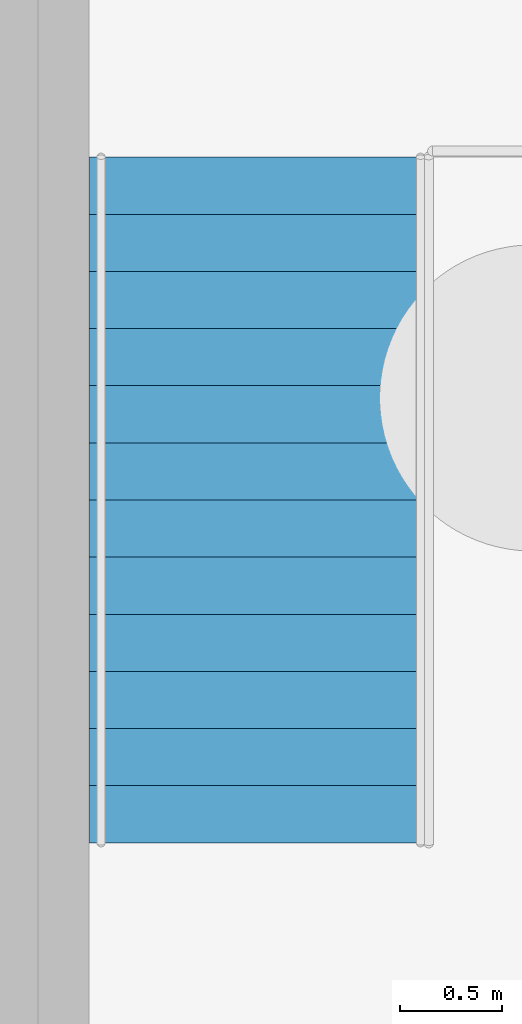
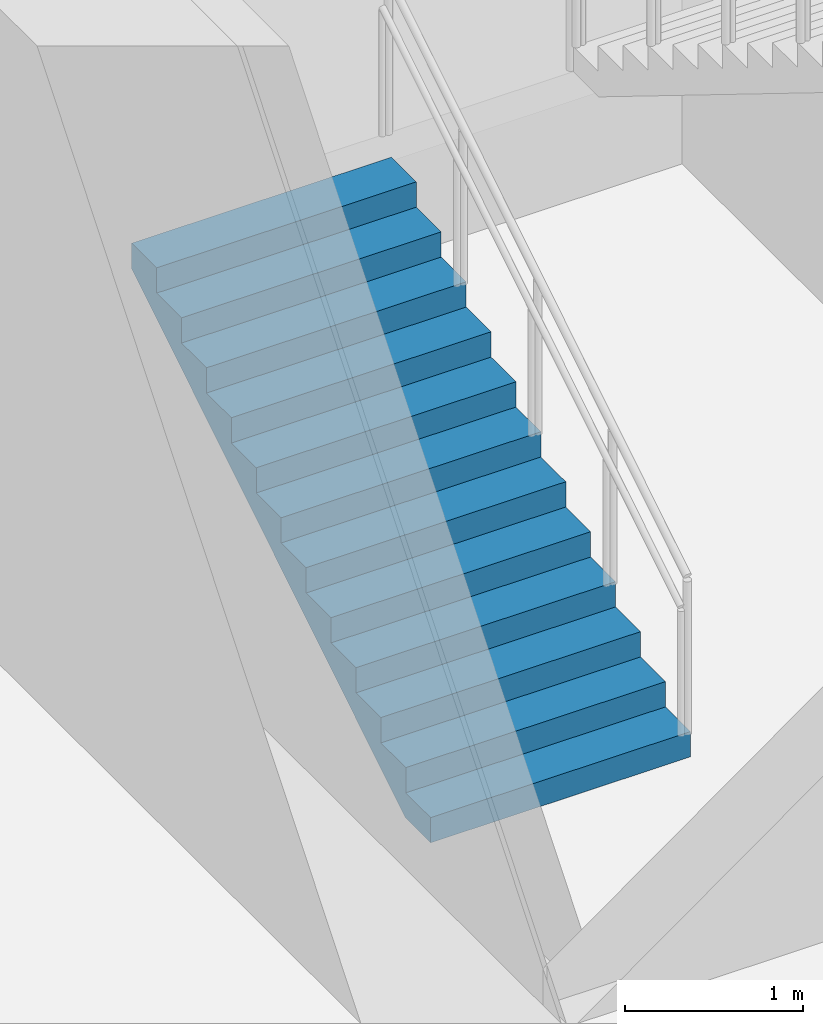
# One storey, part 15 of 28: 1 stair flight, 1 element without a shape of its own.
"""IFC4 building model written with IfcOpenShell, lengths in metres."""

from ifc_helpers import new_model, si_unit, direction, frame, origin, place, context, subcontext, project, spatial, triangles, material, type_object, element, aggregate, save


model = new_model("IFC4")

# Units and contexts
model_context = context("Model", 3, precision=1e-05, world=origin(), true_north=direction((0.0, 1.0)))
body_context = subcontext(model_context, "Body", "Model", "MODEL_VIEW")
ifc_project = project(units=[si_unit("LENGTHUNIT", "METRE"), si_unit("AREAUNIT", "SQUARE_METRE"), si_unit("VOLUMEUNIT", "CUBIC_METRE"), si_unit("PLANEANGLEUNIT", "RADIAN"), si_unit("MASSUNIT", "GRAM", prefix="KILO")], contexts=[model_context])

# Site, building, storey
site_placement = place(None, origin())
site = spatial("IfcSite", under=ifc_project, at=site_placement, CompositionType="ELEMENT")
building_placement = place(site_placement, origin())
building = spatial("IfcBuilding", under=site, at=building_placement, Name="Orbita Commons", CompositionType="ELEMENT")
storey_placement = place(building_placement, frame((0.0, 0.0, -9.0)))
storey = spatial("IfcBuildingStorey", under=building, at=storey_placement, Name="L-02", CompositionType="ELEMENT", Elevation=-9.0)

# Stair, stair flight
ifc_material_1 = material(Name="Precast concrete C40/50", Category="concrete")
stair_type = type_object("IfcStairType", Name="Podium exit stair 2 flights 13 risers 173", PredefinedType="HALF_TURN_STAIR", material=ifc_material_1)
stair_placement = place(storey_placement, origin())
stair = element("IfcStair", 1, at=stair_placement, inside=storey, type_object=stair_type, Name="Podium exit stair PS2 L-02", PredefinedType="HALF_TURN_STAIR")
ifc_material_2 = material(Name="Precast concrete C40/50", Category="concrete")
stair_flight_type = type_object("IfcStairFlightType", Name="Podium stair flight 13 risers 173 x 1685", PredefinedType="STRAIGHT", material=ifc_material_2)
stair_flight_placement = place(storey_placement, frame((73.5673828125, 29.820068359375, 0.0), z_axis=(0.0, 0.0, 1.0), x_axis=(0.0, 1.0, 0.0)))
stair_flight = element("IfcStairFlight", 2, at=stair_flight_placement, type_object=stair_flight_type, Name="PS2 flight 1", NumberOfRisers=13, NumberOfTreads=12, PredefinedType="STRAIGHT", RiserHeight=0.173076923, TreadLength=0.28, context=body_context, shape_type="Tessellation", body=[
    triangles([(0.0, 0.842529, 0.0), (0.0, 0.842529, 0.021635), (0.0, 0.702108, 0.021635), (0.0, 0.702108, 0.0), (0.0, 0.561686, 0.021635), (0.0, 0.561686, 0.0), (0.0, 0.421265, 0.021635), (0.0, 0.421265, 0.0), (0.0, 0.280843, 0.021635), (0.0, 0.280843, 0.0), (0.0, 0.140422, 0.021635), (0.0, 0.140422, 0.0), (0.0, 0.0, 0.021635), (0.0, 0.0, 0.0), (0.0, -0.140422, 0.021635), (0.0, -0.140422, 0.0), (0.0, -0.280843, 0.021635), (0.0, -0.280843, 0.0), (0.0, -0.421265, 0.021635), (0.0, -0.421265, 0.0), (0.0, -0.561686, 0.021635), (0.0, -0.561686, 0.0), (0.0, -0.702108, 0.021635), (0.0, -0.702108, 0.0), (0.0, -0.842529, 0.021635), (0.0, -0.842529, 0.0), (0.0, 0.842529, 0.043269), (0.0, 0.702108, 0.043269), (0.0, 0.561686, 0.043269), (0.0, 0.421265, 0.043269), (0.0, 0.280843, 0.043269), (0.0, 0.140422, 0.043269), (0.0, 0.0, 0.043269), (0.0, -0.140422, 0.043269), (0.0, -0.280843, 0.043269), (0.0, -0.421265, 0.043269), (0.0, -0.561686, 0.043269), (0.0, -0.702108, 0.043269), (0.0, -0.842529, 0.043269), (0.0, 0.842529, 0.064904), (0.0, 0.702108, 0.064904), (0.0, 0.561686, 0.064904), (0.0, 0.421265, 0.064904), (0.0, 0.280843, 0.064904), (0.0, 0.140422, 0.064904), (0.0, 0.0, 0.064904), (0.0, -0.140422, 0.064904), (0.0, -0.280843, 0.064904), (0.0, -0.421265, 0.064904), (0.0, -0.561686, 0.064904), (0.0, -0.702108, 0.064904), (0.0, -0.842529, 0.064904), (0.0, 0.842529, 0.086538), (0.0, 0.702108, 0.086538), (0.0, 0.561686, 0.086538), (0.0, 0.421265, 0.086538), (0.0, 0.280843, 0.086538), (0.0, 0.140422, 0.086538), (0.0, 0.0, 0.086538), (0.0, -0.140422, 0.086538), (0.0, -0.280843, 0.086538), (0.0, -0.421265, 0.086538), (0.0, -0.561686, 0.086538), (0.0, -0.702108, 0.086538), (0.0, -0.842529, 0.086538), (0.0, 0.842529, 0.108173), (0.0, 0.702108, 0.108173), (0.0, 0.561686, 0.108173), (0.0, 0.421265, 0.108173), (0.0, 0.280843, 0.108173), (0.0, 0.140422, 0.108173), (0.0, 0.0, 0.108173), (0.0, -0.140422, 0.108173), (0.0, -0.280843, 0.108173), (0.0, -0.421265, 0.108173), (0.0, -0.561686, 0.108173), (0.0, -0.702108, 0.108173), (0.0, -0.842529, 0.108173), (0.0, 0.842529, 0.129808), (0.0, 0.702108, 0.129808), (0.0, 0.561686, 0.129808), (0.0, 0.421265, 0.129808), (0.0, 0.280843, 0.129808), (0.0, 0.140422, 0.129808), (0.0, 0.0, 0.129808), (0.0, -0.140422, 0.129808), (0.0, -0.280843, 0.129808), (0.0, -0.421265, 0.129808), (0.0, -0.561686, 0.129808), (0.0, -0.702108, 0.129808), (0.0, -0.842529, 0.129808), (0.0, 0.842529, 0.151442), (0.0, 0.702108, 0.151442), (0.0, 0.561686, 0.151442), (0.0, 0.421265, 0.151442), (0.0, 0.280843, 0.151442), (0.0, 0.140422, 0.151442), (0.0, 0.0, 0.151442), (0.0, -0.140422, 0.151442), (0.0, -0.280843, 0.151442), (0.0, -0.421265, 0.151442), (0.0, -0.561686, 0.151442), (0.0, -0.702108, 0.151442), (0.0, -0.842529, 0.151442), (0.0, 0.842529, 0.173077), (0.0, 0.702108, 0.173077), (0.0, 0.561686, 0.173077), (0.0, 0.421265, 0.173077), (0.0, 0.280843, 0.173077), (0.0, 0.140422, 0.173077), (0.0, 0.0, 0.173077), (0.0, -0.140422, 0.173077), (0.0, -0.280843, 0.173077), (0.0, -0.421265, 0.173077), (0.0, -0.561686, 0.173077), (0.0, -0.702108, 0.173077), (0.0, -0.842529, 0.173077), (0.28, 0.842529, 0.173077), (0.28, 0.702108, 0.173077), (0.28, 0.561686, 0.173077), (0.28, 0.421265, 0.173077), (0.28, 0.280843, 0.173077), (0.28, 0.140422, 0.173077), (0.28, 0.0, 0.173077), (0.28, -0.140422, 0.173077), (0.28, -0.280843, 0.173077), (0.28, -0.421265, 0.173077), (0.28, -0.561686, 0.173077), (0.28, -0.702108, 0.173077), (0.28, -0.842529, 0.173077), (0.28, 0.842529, 0.346154), (0.28, 0.702108, 0.346154), (0.28, 0.561686, 0.346154), (0.28, 0.421265, 0.346154), (0.28, 0.280843, 0.346154), (0.28, 0.140422, 0.346154), (0.28, 0.0, 0.346154), (0.28, -0.140422, 0.346154), (0.28, -0.280843, 0.346154), (0.28, -0.421265, 0.346154), (0.28, -0.561686, 0.346154), (0.28, -0.702108, 0.346154), (0.28, -0.842529, 0.346154), (0.56, 0.842529, 0.346154), (0.56, 0.702108, 0.346154), (0.56, 0.561686, 0.346154), (0.56, 0.421265, 0.346154), (0.56, 0.280843, 0.346154), (0.56, 0.140422, 0.346154), (0.56, 0.0, 0.346154), (0.56, -0.140422, 0.346154), (0.56, -0.280843, 0.346154), (0.56, -0.421265, 0.346154), (0.56, -0.561686, 0.346154), (0.56, -0.702108, 0.346154), (0.56, -0.842529, 0.346154), (0.56, 0.842529, 0.519231), (0.56, 0.702108, 0.519231), (0.56, 0.561686, 0.519231), (0.56, 0.421265, 0.519231), (0.56, 0.280843, 0.519231), (0.56, 0.140422, 0.519231), (0.56, 0.0, 0.519231), (0.56, -0.140422, 0.519231), (0.56, -0.280843, 0.519231), (0.56, -0.421265, 0.519231), (0.56, -0.561686, 0.519231), (0.56, -0.702108, 0.519231), (0.56, -0.842529, 0.519231), (0.84, 0.842529, 0.519231), (0.84, 0.702108, 0.519231), (0.84, 0.561686, 0.519231), (0.84, 0.421265, 0.519231), (0.84, 0.280843, 0.519231), (0.84, 0.140422, 0.519231), (0.84, 0.0, 0.519231), (0.84, -0.140422, 0.519231), (0.84, -0.280843, 0.519231), (0.84, -0.421265, 0.519231), (0.84, -0.561686, 0.519231), (0.84, -0.702108, 0.519231), (0.84, -0.842529, 0.519231), (0.84, 0.842529, 0.692308), (0.84, 0.702108, 0.692308), (0.84, 0.561686, 0.692308), (0.84, 0.421265, 0.692308), (0.84, 0.280843, 0.692308), (0.84, 0.140422, 0.692308), (0.84, 0.0, 0.692308), (0.84, -0.140422, 0.692308), (0.84, -0.280843, 0.692308), (0.84, -0.421265, 0.692308), (0.84, -0.561686, 0.692308), (0.84, -0.702108, 0.692308), (0.84, -0.842529, 0.692308), (1.12, 0.842529, 0.692308), (1.12, 0.702108, 0.692308), (1.12, 0.561686, 0.692308), (1.12, 0.421265, 0.692308), (1.12, 0.280843, 0.692308), (1.12, 0.140422, 0.692308), (1.12, 0.0, 0.692308), (1.12, -0.140422, 0.692308), (1.12, -0.280843, 0.692308), (1.12, -0.421265, 0.692308), (1.12, -0.561686, 0.692308), (1.12, -0.702108, 0.692308), (1.12, -0.842529, 0.692308), (1.12, 0.842529, 0.865385), (1.12, 0.702108, 0.865385), (1.12, 0.561686, 0.865385), (1.12, 0.421265, 0.865385), (1.12, 0.280843, 0.865385), (1.12, 0.140422, 0.865385), (1.12, 0.0, 0.865385), (1.12, -0.140422, 0.865385), (1.12, -0.280843, 0.865385), (1.12, -0.421265, 0.865385), (1.12, -0.561686, 0.865385), (1.12, -0.702108, 0.865385), (1.12, -0.842529, 0.865385), (1.4, 0.842529, 0.865385), (1.4, 0.702108, 0.865385), (1.4, 0.561686, 0.865385), (1.4, 0.421265, 0.865385), (1.4, 0.280843, 0.865385), (1.4, 0.140422, 0.865385), (1.4, 0.0, 0.865385), (1.4, -0.140422, 0.865385), (1.4, -0.280843, 0.865385), (1.4, -0.421265, 0.865385), (1.4, -0.561686, 0.865385), (1.4, -0.702108, 0.865385), (1.4, -0.842529, 0.865385), (1.4, 0.842529, 1.038462), (1.4, 0.702108, 1.038462), (1.4, 0.561686, 1.038462), (1.4, 0.421265, 1.038462), (1.4, 0.280843, 1.038462), (1.4, 0.140422, 1.038462), (1.4, 0.0, 1.038462), (1.4, -0.140422, 1.038462), (1.4, -0.280843, 1.038462), (1.4, -0.421265, 1.038462), (1.4, -0.561686, 1.038462), (1.4, -0.702108, 1.038462), (1.4, -0.842529, 1.038462), (1.68, 0.842529, 1.038462), (1.68, 0.702108, 1.038462), (1.68, 0.561686, 1.038462), (1.68, 0.421265, 1.038462), (1.68, 0.280843, 1.038462), (1.68, 0.140422, 1.038462), (1.68, 0.0, 1.038462), (1.68, -0.140422, 1.038462), (1.68, -0.280843, 1.038462), (1.68, -0.421265, 1.038462), (1.68, -0.561686, 1.038462), (1.68, -0.702108, 1.038462), (1.68, -0.842529, 1.038462), (1.68, 0.842529, 1.211538), (1.68, 0.702108, 1.211538), (1.68, 0.561686, 1.211538), (1.68, 0.421265, 1.211538), (1.68, 0.280843, 1.211538), (1.68, 0.140422, 1.211538), (1.68, 0.0, 1.211538), (1.68, -0.140422, 1.211538), (1.68, -0.280843, 1.211538), (1.68, -0.421265, 1.211538), (1.68, -0.561686, 1.211538), (1.68, -0.702108, 1.211538), (1.68, -0.842529, 1.211538), (1.96, 0.842529, 1.211538), (1.96, 0.702108, 1.211538), (1.96, 0.561686, 1.211538), (1.96, 0.421265, 1.211538), (1.96, 0.280843, 1.211538), (1.96, 0.140422, 1.211538), (1.96, 0.0, 1.211538), (1.96, -0.140422, 1.211538), (1.96, -0.280843, 1.211538), (1.96, -0.421265, 1.211538), (1.96, -0.561686, 1.211538), (1.96, -0.702108, 1.211538), (1.96, -0.842529, 1.211538), (1.96, 0.842529, 1.384615), (1.96, 0.702108, 1.384615), (1.96, 0.561686, 1.384615), (1.96, 0.421265, 1.384615), (1.96, 0.280843, 1.384615), (1.96, 0.140422, 1.384615), (1.96, 0.0, 1.384615), (1.96, -0.140422, 1.384615), (1.96, -0.280843, 1.384615), (1.96, -0.421265, 1.384615), (1.96, -0.561686, 1.384615), (1.96, -0.702108, 1.384615), (1.96, -0.842529, 1.384615), (2.24, 0.842529, 1.384615), (2.24, 0.702108, 1.384615), (2.24, 0.561686, 1.384615), (2.24, 0.421265, 1.384615), (2.24, 0.280843, 1.384615), (2.24, 0.140422, 1.384615), (2.24, 0.0, 1.384615), (2.24, -0.140422, 1.384615), (2.24, -0.280843, 1.384615), (2.24, -0.421265, 1.384615), (2.24, -0.561686, 1.384615), (2.24, -0.702108, 1.384615), (2.24, -0.842529, 1.384615), (2.24, 0.842529, 1.557692), (2.24, 0.702108, 1.557692), (2.24, 0.561686, 1.557692), (2.24, 0.421265, 1.557692), (2.24, 0.280843, 1.557692), (2.24, 0.140422, 1.557692), (2.24, 0.0, 1.557692), (2.24, -0.140422, 1.557692), (2.24, -0.280843, 1.557692), (2.24, -0.421265, 1.557692), (2.24, -0.561686, 1.557692), (2.24, -0.702108, 1.557692), (2.24, -0.842529, 1.557692), (2.52, 0.842529, 1.557692), (2.52, 0.702108, 1.557692), (2.52, 0.561686, 1.557692), (2.52, 0.421265, 1.557692), (2.52, 0.280843, 1.557692), (2.52, 0.140422, 1.557692), (2.52, 0.0, 1.557692), (2.52, -0.140422, 1.557692), (2.52, -0.280843, 1.557692), (2.52, -0.421265, 1.557692), (2.52, -0.561686, 1.557692), (2.52, -0.702108, 1.557692), (2.52, -0.842529, 1.557692), (2.52, 0.842529, 1.730769), (2.52, 0.702108, 1.730769), (2.52, 0.561686, 1.730769), (2.52, 0.421265, 1.730769), (2.52, 0.280843, 1.730769), (2.52, 0.140422, 1.730769), (2.52, 0.0, 1.730769), (2.52, -0.140422, 1.730769), (2.52, -0.280843, 1.730769), (2.52, -0.421265, 1.730769), (2.52, -0.561686, 1.730769), (2.52, -0.702108, 1.730769), (2.52, -0.842529, 1.730769), (2.8, 0.842529, 1.730769), (2.8, 0.702108, 1.730769), (2.8, 0.561686, 1.730769), (2.8, 0.421265, 1.730769), (2.8, 0.280843, 1.730769), (2.8, 0.140422, 1.730769), (2.8, 0.0, 1.730769), (2.8, -0.140422, 1.730769), (2.8, -0.280843, 1.730769), (2.8, -0.421265, 1.730769), (2.8, -0.561686, 1.730769), (2.8, -0.702108, 1.730769), (2.8, -0.842529, 1.730769), (2.8, 0.842529, 1.903846), (2.8, 0.702108, 1.903846), (2.8, 0.561686, 1.903846), (2.8, 0.421265, 1.903846), (2.8, 0.280843, 1.903846), (2.8, 0.140422, 1.903846), (2.8, 0.0, 1.903846), (2.8, -0.140422, 1.903846), (2.8, -0.280843, 1.903846), (2.8, -0.421265, 1.903846), (2.8, -0.561686, 1.903846), (2.8, -0.702108, 1.903846), (2.8, -0.842529, 1.903846), (3.08, 0.842529, 1.903846), (3.08, 0.702108, 1.903846), (3.08, 0.561686, 1.903846), (3.08, 0.421265, 1.903846), (3.08, 0.280843, 1.903846), (3.08, 0.140422, 1.903846), (3.08, 0.0, 1.903846), (3.08, -0.140422, 1.903846), (3.08, -0.280843, 1.903846), (3.08, -0.421265, 1.903846), (3.08, -0.561686, 1.903846), (3.08, -0.702108, 1.903846), (3.08, -0.842529, 1.903846), (3.08, 0.842529, 2.076923), (3.08, 0.702108, 2.076923), (3.08, 0.561686, 2.076923), (3.08, 0.421265, 2.076923), (3.08, 0.280843, 2.076923), (3.08, 0.140422, 2.076923), (3.08, 0.0, 2.076923), (3.08, -0.140422, 2.076923), (3.08, -0.280843, 2.076923), (3.08, -0.421265, 2.076923), (3.08, -0.561686, 2.076923), (3.08, -0.702108, 2.076923), (3.08, -0.842529, 2.076923), (3.36, 0.842529, 2.076923), (3.36, 0.702108, 2.076923), (3.36, 0.561686, 2.076923), (3.36, 0.421265, 2.076923), (3.36, 0.280843, 2.076923), (3.36, 0.140422, 2.076923), (3.36, 0.0, 2.076923), (3.36, -0.140422, 2.076923), (3.36, -0.280843, 2.076923), (3.36, -0.421265, 2.076923), (3.36, -0.561686, 2.076923), (3.36, -0.702108, 2.076923), (3.36, -0.842529, 2.076923), (3.36, 0.842529, 2.054895), (3.36, 0.702108, 2.054895), (3.36, 0.561686, 2.054895), (3.36, 0.421265, 2.054895), (3.36, 0.280843, 2.054895), (3.36, 0.140422, 2.054895), (3.36, 0.0, 2.054895), (3.36, -0.140422, 2.054895), (3.36, -0.280843, 2.054895), (3.36, -0.421265, 2.054895), (3.36, -0.561686, 2.054895), (3.36, -0.702108, 2.054895), (3.36, -0.842529, 2.054895), (3.36, 0.842529, 2.032866), (3.36, 0.702108, 2.032866), (3.36, 0.561686, 2.032866), (3.36, 0.421265, 2.032866), (3.36, 0.280843, 2.032866), (3.36, 0.140422, 2.032866), (3.36, 0.0, 2.032866), (3.36, -0.140422, 2.032866), (3.36, -0.280843, 2.032866), (3.36, -0.421265, 2.032866), (3.36, -0.561686, 2.032866), (3.36, -0.702108, 2.032866), (3.36, -0.842529, 2.032866), (3.36, 0.842529, 2.010837), (3.36, 0.702108, 2.010837), (3.36, 0.561686, 2.010837), (3.36, 0.421265, 2.010837), (3.36, 0.280843, 2.010837), (3.36, 0.140422, 2.010837), (3.36, 0.0, 2.010837), (3.36, -0.140422, 2.010837), (3.36, -0.280843, 2.010837), (3.36, -0.421265, 2.010837), (3.36, -0.561686, 2.010837), (3.36, -0.702108, 2.010837), (3.36, -0.842529, 2.010837), (3.36, 0.842529, 1.988809), (3.36, 0.702108, 1.988809), (3.36, 0.561686, 1.988809), (3.36, 0.421265, 1.988809), (3.36, 0.280843, 1.988809), (3.36, 0.140422, 1.988809), (3.36, 0.0, 1.988809), (3.36, -0.140422, 1.988809), (3.36, -0.280843, 1.988809), (3.36, -0.421265, 1.988809), (3.36, -0.561686, 1.988809), (3.36, -0.702108, 1.988809), (3.36, -0.842529, 1.988809), (3.36, 0.842529, 1.96678), (3.36, 0.702108, 1.96678), (3.36, 0.561686, 1.96678), (3.36, 0.421265, 1.96678), (3.36, 0.280843, 1.96678), (3.36, 0.140422, 1.96678), (3.36, 0.0, 1.96678), (3.36, -0.140422, 1.96678), (3.36, -0.280843, 1.96678), (3.36, -0.421265, 1.96678), (3.36, -0.561686, 1.96678), (3.36, -0.702108, 1.96678), (3.36, -0.842529, 1.96678), (3.36, 0.842529, 1.944752), (3.36, 0.702108, 1.944752), (3.36, 0.561686, 1.944752), (3.36, 0.421265, 1.944752), (3.36, 0.280843, 1.944752), (3.36, 0.140422, 1.944752), (3.36, 0.0, 1.944752), (3.36, -0.140422, 1.944752), (3.36, -0.280843, 1.944752), (3.36, -0.421265, 1.944752), (3.36, -0.561686, 1.944752), (3.36, -0.702108, 1.944752), (3.36, -0.842529, 1.944752), (3.36, 0.842529, 1.922723), (3.36, 0.702108, 1.922723), (3.36, 0.561686, 1.922723), (3.36, 0.421265, 1.922723), (3.36, 0.280843, 1.922723), (3.36, 0.140422, 1.922723), (3.36, 0.0, 1.922723), (3.36, -0.140422, 1.922723), (3.36, -0.280843, 1.922723), (3.36, -0.421265, 1.922723), (3.36, -0.561686, 1.922723), (3.36, -0.702108, 1.922723), (3.36, -0.842529, 1.922723), (3.36, 0.842529, 1.900695), (3.36, 0.702108, 1.900695), (3.36, 0.561686, 1.900695), (3.36, 0.421265, 1.900695), (3.36, 0.280843, 1.900695), (3.36, 0.140422, 1.900695), (3.36, 0.0, 1.900695), (3.36, -0.140422, 1.900695), (3.36, -0.280843, 1.900695), (3.36, -0.421265, 1.900695), (3.36, -0.561686, 1.900695), (3.36, -0.702108, 1.900695), (3.36, -0.842529, 1.900695), (0.285099, 0.842529, 0.0), (0.285099, 0.702108, 0.0), (0.285099, 0.561686, 0.0), (0.285099, 0.421265, 0.0), (0.285099, 0.280843, 0.0), (0.285099, 0.140422, 0.0), (0.285099, 0.0, 0.0), (0.285099, -0.140422, 0.0), (0.285099, -0.280843, 0.0), (0.285099, -0.421265, 0.0), (0.285099, -0.561686, 0.0), (0.285099, -0.702108, 0.0), (0.285099, -0.842529, 0.0)], [[3, 2, 1], [4, 3, 1], [5, 3, 4], [6, 5, 4], [7, 5, 6], [8, 7, 6], [9, 7, 8], [10, 9, 8], [11, 9, 10], [12, 11, 10], [13, 11, 12], [14, 13, 12], [15, 13, 14], [16, 15, 14], [17, 15, 16], [18, 17, 16], [19, 17, 18], [20, 19, 18], [21, 19, 20], [22, 21, 20], [23, 21, 22], [24, 23, 22], [25, 23, 24], [26, 25, 24], [28, 27, 2], [3, 28, 2], [29, 28, 3], [5, 29, 3], [30, 29, 5], [7, 30, 5], [31, 30, 7], [9, 31, 7], [32, 31, 9], [11, 32, 9], [33, 32, 11], [13, 33, 11], [34, 33, 13], [15, 34, 13], [35, 34, 15], [17, 35, 15], [36, 35, 17], [19, 36, 17], [37, 36, 19], [21, 37, 19], [38, 37, 21], [23, 38, 21], [39, 38, 23], [25, 39, 23], [41, 40, 27], [28, 41, 27], [42, 41, 28], [29, 42, 28], [43, 42, 29], [30, 43, 29], [44, 43, 30], [31, 44, 30], [45, 44, 31], [32, 45, 31], [46, 45, 32], [33, 46, 32], [47, 46, 33], [34, 47, 33], [48, 47, 34], [35, 48, 34], [49, 48, 35], [36, 49, 35], [50, 49, 36], [37, 50, 36], [51, 50, 37], [38, 51, 37], [52, 51, 38], [39, 52, 38], [54, 53, 40], [41, 54, 40], [55, 54, 41], [42, 55, 41], [56, 55, 42], [43, 56, 42], [57, 56, 43], [44, 57, 43], [58, 57, 44], [45, 58, 44], [59, 58, 45], [46, 59, 45], [60, 59, 46], [47, 60, 46], [61, 60, 47], [48, 61, 47], [62, 61, 48], [49, 62, 48], [63, 62, 49], [50, 63, 49], [64, 63, 50], [51, 64, 50], [65, 64, 51], [52, 65, 51], [67, 66, 53], [54, 67, 53], [68, 67, 54], [55, 68, 54], [69, 68, 55], [56, 69, 55], [70, 69, 56], [57, 70, 56], [71, 70, 57], [58, 71, 57], [72, 71, 58], [59, 72, 58], [73, 72, 59], [60, 73, 59], [74, 73, 60], [61, 74, 60], [75, 74, 61], [62, 75, 61], [76, 75, 62], [63, 76, 62], [77, 76, 63], [64, 77, 63], [78, 77, 64], [65, 78, 64], [80, 79, 66], [67, 80, 66], [81, 80, 67], [68, 81, 67], [82, 81, 68], [69, 82, 68], [83, 82, 69], [70, 83, 69], [84, 83, 70], [71, 84, 70], [85, 84, 71], [72, 85, 71], [86, 85, 72], [73, 86, 72], [87, 86, 73], [74, 87, 73], [88, 87, 74], [75, 88, 74], [89, 88, 75], [76, 89, 75], [90, 89, 76], [77, 90, 76], [91, 90, 77], [78, 91, 77], [93, 92, 79], [80, 93, 79], [94, 93, 80], [81, 94, 80], [95, 94, 81], [82, 95, 81], [96, 95, 82], [83, 96, 82], [97, 96, 83], [84, 97, 83], [98, 97, 84], [85, 98, 84], [99, 98, 85], [86, 99, 85], [100, 99, 86], [87, 100, 86], [101, 100, 87], [88, 101, 87], [102, 101, 88], [89, 102, 88], [103, 102, 89], [90, 103, 89], [104, 103, 90], [91, 104, 90], [106, 105, 92], [93, 106, 92], [107, 106, 93], [94, 107, 93], [108, 107, 94], [95, 108, 94], [109, 108, 95], [96, 109, 95], [110, 109, 96], [97, 110, 96], [111, 110, 97], [98, 111, 97], [112, 111, 98], [99, 112, 98], [113, 112, 99], [100, 113, 99], [114, 113, 100], [101, 114, 100], [115, 114, 101], [102, 115, 101], [116, 115, 102], [103, 116, 102], [117, 116, 103], [104, 117, 103], [119, 118, 105], [106, 119, 105], [120, 119, 106], [107, 120, 106], [121, 120, 107], [108, 121, 107], [122, 121, 108], [109, 122, 108], [123, 122, 109], [110, 123, 109], [124, 123, 110], [111, 124, 110], [125, 124, 111], [112, 125, 111], [126, 125, 112], [113, 126, 112], [127, 126, 113], [114, 127, 113], [128, 127, 114], [115, 128, 114], [129, 128, 115], [116, 129, 115], [130, 129, 116], [117, 130, 116], [132, 131, 118], [119, 132, 118], [133, 132, 119], [120, 133, 119], [134, 133, 120], [121, 134, 120], [135, 134, 121], [122, 135, 121], [136, 135, 122], [123, 136, 122], [137, 136, 123], [124, 137, 123], [138, 137, 124], [125, 138, 124], [139, 138, 125], [126, 139, 125], [140, 139, 126], [127, 140, 126], [141, 140, 127], [128, 141, 127], [142, 141, 128], [129, 142, 128], [143, 142, 129], [130, 143, 129], [145, 144, 131], [132, 145, 131], [146, 145, 132], [133, 146, 132], [147, 146, 133], [134, 147, 133], [148, 147, 134], [135, 148, 134], [149, 148, 135], [136, 149, 135], [150, 149, 136], [137, 150, 136], [151, 150, 137], [138, 151, 137], [152, 151, 138], [139, 152, 138], [153, 152, 139], [140, 153, 139], [154, 153, 140], [141, 154, 140], [155, 154, 141], [142, 155, 141], [156, 155, 142], [143, 156, 142], [158, 157, 144], [145, 158, 144], [159, 158, 145], [146, 159, 145], [160, 159, 146], [147, 160, 146], [161, 160, 147], [148, 161, 147], [162, 161, 148], [149, 162, 148], [163, 162, 149], [150, 163, 149], [164, 163, 150], [151, 164, 150], [165, 164, 151], [152, 165, 151], [166, 165, 152], [153, 166, 152], [167, 166, 153], [154, 167, 153], [168, 167, 154], [155, 168, 154], [169, 168, 155], [156, 169, 155], [171, 170, 157], [158, 171, 157], [172, 171, 158], [159, 172, 158], [173, 172, 159], [160, 173, 159], [174, 173, 160], [161, 174, 160], [175, 174, 161], [162, 175, 161], [176, 175, 162], [163, 176, 162], [177, 176, 163], [164, 177, 163], [178, 177, 164], [165, 178, 164], [179, 178, 165], [166, 179, 165], [180, 179, 166], [167, 180, 166], [181, 180, 167], [168, 181, 167], [182, 181, 168], [169, 182, 168], [184, 183, 170], [171, 184, 170], [185, 184, 171], [172, 185, 171], [186, 185, 172], [173, 186, 172], [187, 186, 173], [174, 187, 173], [188, 187, 174], [175, 188, 174], [189, 188, 175], [176, 189, 175], [190, 189, 176], [177, 190, 176], [191, 190, 177], [178, 191, 177], [192, 191, 178], [179, 192, 178], [193, 192, 179], [180, 193, 179], [194, 193, 180], [181, 194, 180], [195, 194, 181], [182, 195, 181], [197, 196, 183], [184, 197, 183], [198, 197, 184], [185, 198, 184], [199, 198, 185], [186, 199, 185], [200, 199, 186], [187, 200, 186], [201, 200, 187], [188, 201, 187], [202, 201, 188], [189, 202, 188], [203, 202, 189], [190, 203, 189], [204, 203, 190], [191, 204, 190], [205, 204, 191], [192, 205, 191], [206, 205, 192], [193, 206, 192], [207, 206, 193], [194, 207, 193], [208, 207, 194], [195, 208, 194], [210, 209, 196], [197, 210, 196], [211, 210, 197], [198, 211, 197], [212, 211, 198], [199, 212, 198], [213, 212, 199], [200, 213, 199], [214, 213, 200], [201, 214, 200], [215, 214, 201], [202, 215, 201], [216, 215, 202], [203, 216, 202], [217, 216, 203], [204, 217, 203], [218, 217, 204], [205, 218, 204], [219, 218, 205], [206, 219, 205], [220, 219, 206], [207, 220, 206], [221, 220, 207], [208, 221, 207], [223, 222, 209], [210, 223, 209], [224, 223, 210], [211, 224, 210], [225, 224, 211], [212, 225, 211], [226, 225, 212], [213, 226, 212], [227, 226, 213], [214, 227, 213], [228, 227, 214], [215, 228, 214], [229, 228, 215], [216, 229, 215], [230, 229, 216], [217, 230, 216], [231, 230, 217], [218, 231, 217], [232, 231, 218], [219, 232, 218], [233, 232, 219], [220, 233, 219], [234, 233, 220], [221, 234, 220], [236, 235, 222], [223, 236, 222], [237, 236, 223], [224, 237, 223], [238, 237, 224], [225, 238, 224], [239, 238, 225], [226, 239, 225], [240, 239, 226], [227, 240, 226], [241, 240, 227], [228, 241, 227], [242, 241, 228], [229, 242, 228], [243, 242, 229], [230, 243, 229], [244, 243, 230], [231, 244, 230], [245, 244, 231], [232, 245, 231], [246, 245, 232], [233, 246, 232], [247, 246, 233], [234, 247, 233], [249, 248, 235], [236, 249, 235], [250, 249, 236], [237, 250, 236], [251, 250, 237], [238, 251, 237], [252, 251, 238], [239, 252, 238], [253, 252, 239], [240, 253, 239], [254, 253, 240], [241, 254, 240], [255, 254, 241], [242, 255, 241], [256, 255, 242], [243, 256, 242], [257, 256, 243], [244, 257, 243], [258, 257, 244], [245, 258, 244], [259, 258, 245], [246, 259, 245], [260, 259, 246], [247, 260, 246], [262, 261, 248], [249, 262, 248], [263, 262, 249], [250, 263, 249], [264, 263, 250], [251, 264, 250], [265, 264, 251], [252, 265, 251], [266, 265, 252], [253, 266, 252], [267, 266, 253], [254, 267, 253], [268, 267, 254], [255, 268, 254], [269, 268, 255], [256, 269, 255], [270, 269, 256], [257, 270, 256], [271, 270, 257], [258, 271, 257], [272, 271, 258], [259, 272, 258], [273, 272, 259], [260, 273, 259], [275, 274, 261], [262, 275, 261], [276, 275, 262], [263, 276, 262], [277, 276, 263], [264, 277, 263], [278, 277, 264], [265, 278, 264], [279, 278, 265], [266, 279, 265], [280, 279, 266], [267, 280, 266], [281, 280, 267], [268, 281, 267], [282, 281, 268], [269, 282, 268], [283, 282, 269], [270, 283, 269], [284, 283, 270], [271, 284, 270], [285, 284, 271], [272, 285, 271], [286, 285, 272], [273, 286, 272], [288, 287, 274], [275, 288, 274], [289, 288, 275], [276, 289, 275], [290, 289, 276], [277, 290, 276], [291, 290, 277], [278, 291, 277], [292, 291, 278], [279, 292, 278], [293, 292, 279], [280, 293, 279], [294, 293, 280], [281, 294, 280], [295, 294, 281], [282, 295, 281], [296, 295, 282], [283, 296, 282], [297, 296, 283], [284, 297, 283], [298, 297, 284], [285, 298, 284], [299, 298, 285], [286, 299, 285], [301, 300, 287], [288, 301, 287], [302, 301, 288], [289, 302, 288], [303, 302, 289], [290, 303, 289], [304, 303, 290], [291, 304, 290], [305, 304, 291], [292, 305, 291], [306, 305, 292], [293, 306, 292], [307, 306, 293], [294, 307, 293], [308, 307, 294], [295, 308, 294], [309, 308, 295], [296, 309, 295], [310, 309, 296], [297, 310, 296], [311, 310, 297], [298, 311, 297], [312, 311, 298], [299, 312, 298], [314, 313, 300], [301, 314, 300], [315, 314, 301], [302, 315, 301], [316, 315, 302], [303, 316, 302], [317, 316, 303], [304, 317, 303], [318, 317, 304], [305, 318, 304], [319, 318, 305], [306, 319, 305], [320, 319, 306], [307, 320, 306], [321, 320, 307], [308, 321, 307], [322, 321, 308], [309, 322, 308], [323, 322, 309], [310, 323, 309], [324, 323, 310], [311, 324, 310], [325, 324, 311], [312, 325, 311], [327, 326, 313], [314, 327, 313], [328, 327, 314], [315, 328, 314], [329, 328, 315], [316, 329, 315], [330, 329, 316], [317, 330, 316], [331, 330, 317], [318, 331, 317], [332, 331, 318], [319, 332, 318], [333, 332, 319], [320, 333, 319], [334, 333, 320], [321, 334, 320], [335, 334, 321], [322, 335, 321], [336, 335, 322], [323, 336, 322], [337, 336, 323], [324, 337, 323], [338, 337, 324], [325, 338, 324], [340, 339, 326], [327, 340, 326], [341, 340, 327], [328, 341, 327], [342, 341, 328], [329, 342, 328], [343, 342, 329], [330, 343, 329], [344, 343, 330], [331, 344, 330], [345, 344, 331], [332, 345, 331], [346, 345, 332], [333, 346, 332], [347, 346, 333], [334, 347, 333], [348, 347, 334], [335, 348, 334], [349, 348, 335], [336, 349, 335], [350, 349, 336], [337, 350, 336], [351, 350, 337], [338, 351, 337], [353, 352, 339], [340, 353, 339], [354, 353, 340], [341, 354, 340], [355, 354, 341], [342, 355, 341], [356, 355, 342], [343, 356, 342], [357, 356, 343], [344, 357, 343], [358, 357, 344], [345, 358, 344], [359, 358, 345], [346, 359, 345], [360, 359, 346], [347, 360, 346], [361, 360, 347], [348, 361, 347], [362, 361, 348], [349, 362, 348], [363, 362, 349], [350, 363, 349], [364, 363, 350], [351, 364, 350], [366, 365, 352], [353, 366, 352], [367, 366, 353], [354, 367, 353], [368, 367, 354], [355, 368, 354], [369, 368, 355], [356, 369, 355], [370, 369, 356], [357, 370, 356], [371, 370, 357], [358, 371, 357], [372, 371, 358], [359, 372, 358], [373, 372, 359], [360, 373, 359], [374, 373, 360], [361, 374, 360], [375, 374, 361], [362, 375, 361], [376, 375, 362], [363, 376, 362], [377, 376, 363], [364, 377, 363], [379, 378, 365], [366, 379, 365], [380, 379, 366], [367, 380, 366], [381, 380, 367], [368, 381, 367], [382, 381, 368], [369, 382, 368], [383, 382, 369], [370, 383, 369], [384, 383, 370], [371, 384, 370], [385, 384, 371], [372, 385, 371], [386, 385, 372], [373, 386, 372], [387, 386, 373], [374, 387, 373], [388, 387, 374], [375, 388, 374], [389, 388, 375], [376, 389, 375], [390, 389, 376], [377, 390, 376], [392, 391, 378], [379, 392, 378], [393, 392, 379], [380, 393, 379], [394, 393, 380], [381, 394, 380], [395, 394, 381], [382, 395, 381], [396, 395, 382], [383, 396, 382], [397, 396, 383], [384, 397, 383], [398, 397, 384], [385, 398, 384], [399, 398, 385], [386, 399, 385], [400, 399, 386], [387, 400, 386], [401, 400, 387], [388, 401, 387], [402, 401, 388], [389, 402, 388], [403, 402, 389], [390, 403, 389], [405, 404, 391], [392, 405, 391], [406, 405, 392], [393, 406, 392], [407, 406, 393], [394, 407, 393], [408, 407, 394], [395, 408, 394], [409, 408, 395], [396, 409, 395], [410, 409, 396], [397, 410, 396], [411, 410, 397], [398, 411, 397], [412, 411, 398], [399, 412, 398], [413, 412, 399], [400, 413, 399], [414, 413, 400], [401, 414, 400], [415, 414, 401], [402, 415, 401], [416, 415, 402], [403, 416, 402], [418, 417, 404], [405, 418, 404], [419, 418, 405], [406, 419, 405], [420, 419, 406], [407, 420, 406], [421, 420, 407], [408, 421, 407], [422, 421, 408], [409, 422, 408], [423, 422, 409], [410, 423, 409], [424, 423, 410], [411, 424, 410], [425, 424, 411], [412, 425, 411], [426, 425, 412], [413, 426, 412], [427, 426, 413], [414, 427, 413], [428, 427, 414], [415, 428, 414], [429, 428, 415], [416, 429, 415], [431, 430, 417], [418, 431, 417], [432, 431, 418], [419, 432, 418], [433, 432, 419], [420, 433, 419], [434, 433, 420], [421, 434, 420], [435, 434, 421], [422, 435, 421], [436, 435, 422], [423, 436, 422], [437, 436, 423], [424, 437, 423], [438, 437, 424], [425, 438, 424], [439, 438, 425], [426, 439, 425], [440, 439, 426], [427, 440, 426], [441, 440, 427], [428, 441, 427], [442, 441, 428], [429, 442, 428], [444, 443, 430], [431, 444, 430], [445, 444, 431], [432, 445, 431], [446, 445, 432], [433, 446, 432], [447, 446, 433], [434, 447, 433], [448, 447, 434], [435, 448, 434], [449, 448, 435], [436, 449, 435], [450, 449, 436], [437, 450, 436], [451, 450, 437], [438, 451, 437], [452, 451, 438], [439, 452, 438], [453, 452, 439], [440, 453, 439], [454, 453, 440], [441, 454, 440], [455, 454, 441], [442, 455, 441], [457, 456, 443], [444, 457, 443], [458, 457, 444], [445, 458, 444], [459, 458, 445], [446, 459, 445], [460, 459, 446], [447, 460, 446], [461, 460, 447], [448, 461, 447], [462, 461, 448], [449, 462, 448], [463, 462, 449], [450, 463, 449], [464, 463, 450], [451, 464, 450], [465, 464, 451], [452, 465, 451], [466, 465, 452], [453, 466, 452], [467, 466, 453], [454, 467, 453], [468, 467, 454], [455, 468, 454], [470, 469, 456], [457, 470, 456], [471, 470, 457], [458, 471, 457], [472, 471, 458], [459, 472, 458], [473, 472, 459], [460, 473, 459], [474, 473, 460], [461, 474, 460], [475, 474, 461], [462, 475, 461], [476, 475, 462], [463, 476, 462], [477, 476, 463], [464, 477, 463], [478, 477, 464], [465, 478, 464], [479, 478, 465], [466, 479, 465], [480, 479, 466], [467, 480, 466], [481, 480, 467], [468, 481, 467], [483, 482, 469], [470, 483, 469], [484, 483, 470], [471, 484, 470], [485, 484, 471], [472, 485, 471], [486, 485, 472], [473, 486, 472], [487, 486, 473], [474, 487, 473], [488, 487, 474], [475, 488, 474], [489, 488, 475], [476, 489, 475], [490, 489, 476], [477, 490, 476], [491, 490, 477], [478, 491, 477], [492, 491, 478], [479, 492, 478], [493, 492, 479], [480, 493, 479], [494, 493, 480], [481, 494, 480], [496, 495, 482], [483, 496, 482], [497, 496, 483], [484, 497, 483], [498, 497, 484], [485, 498, 484], [499, 498, 485], [486, 499, 485], [500, 499, 486], [487, 500, 486], [501, 500, 487], [488, 501, 487], [502, 501, 488], [489, 502, 488], [503, 502, 489], [490, 503, 489], [504, 503, 490], [491, 504, 490], [505, 504, 491], [492, 505, 491], [506, 505, 492], [493, 506, 492], [507, 506, 493], [494, 507, 493], [509, 508, 495], [496, 509, 495], [510, 509, 496], [497, 510, 496], [511, 510, 497], [498, 511, 497], [512, 511, 498], [499, 512, 498], [513, 512, 499], [500, 513, 499], [514, 513, 500], [501, 514, 500], [515, 514, 501], [502, 515, 501], [516, 515, 502], [503, 516, 502], [517, 516, 503], [504, 517, 503], [518, 517, 504], [505, 518, 504], [519, 518, 505], [506, 519, 505], [520, 519, 506], [507, 520, 506], [522, 521, 508], [509, 522, 508], [523, 522, 509], [510, 523, 509], [524, 523, 510], [511, 524, 510], [525, 524, 511], [512, 525, 511], [526, 525, 512], [513, 526, 512], [527, 526, 513], [514, 527, 513], [528, 527, 514], [515, 528, 514], [529, 528, 515], [516, 529, 515], [530, 529, 516], [517, 530, 516], [531, 530, 517], [518, 531, 517], [532, 531, 518], [519, 532, 518], [533, 532, 519], [520, 533, 519], [4, 1, 521], [522, 4, 521], [6, 4, 522], [523, 6, 522], [8, 6, 523], [524, 8, 523], [10, 8, 524], [525, 10, 524], [12, 10, 525], [526, 12, 525], [14, 12, 526], [527, 14, 526], [16, 14, 527], [528, 16, 527], [18, 16, 528], [529, 18, 528], [20, 18, 529], [530, 20, 529], [22, 20, 530], [531, 22, 530], [24, 22, 531], [532, 24, 531], [26, 24, 532], [533, 26, 532], [508, 521, 1], [26, 533, 520], [495, 508, 1], [26, 520, 507], [482, 495, 1], [26, 507, 494], [469, 482, 1], [26, 494, 481], [456, 469, 1], [26, 481, 468], [443, 456, 1], [26, 468, 455], [430, 443, 1], [26, 455, 442], [417, 430, 1], [26, 442, 429], [391, 404, 417], [429, 416, 403], [378, 391, 417], [429, 403, 390], [352, 365, 378], [390, 377, 364], [352, 378, 417], [429, 390, 364], [326, 339, 352], [364, 351, 338], [326, 352, 417], [429, 364, 338], [300, 313, 326], [338, 325, 312], [300, 326, 417], [429, 338, 312], [274, 287, 300], [312, 299, 286], [274, 300, 417], [429, 312, 286], [248, 261, 274], [286, 273, 260], [248, 274, 417], [429, 286, 260], [222, 235, 248], [260, 247, 234], [222, 248, 417], [429, 260, 234], [196, 209, 222], [234, 221, 208], [196, 222, 417], [429, 234, 208], [170, 183, 196], [208, 195, 182], [170, 196, 417], [429, 208, 182], [144, 157, 170], [182, 169, 156], [144, 170, 417], [429, 182, 156], [118, 131, 144], [156, 143, 130], [118, 144, 417], [429, 156, 130], [118, 417, 1], [26, 429, 130], [92, 105, 118], [130, 117, 104], [79, 92, 118], [130, 104, 91], [66, 79, 118], [130, 91, 78], [53, 66, 118], [130, 78, 65], [40, 53, 118], [130, 65, 52], [27, 40, 118], [130, 52, 39], [2, 27, 118], [130, 39, 25], [1, 2, 118], [130, 25, 26]], closed=True),
])
aggregate(stair, [stair_flight])

save(model, "model.ifc")
